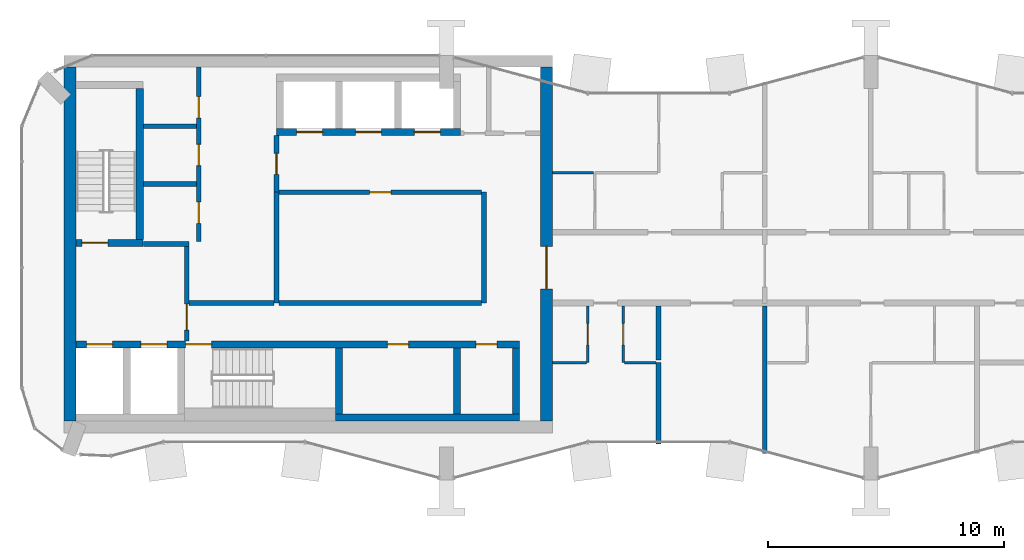
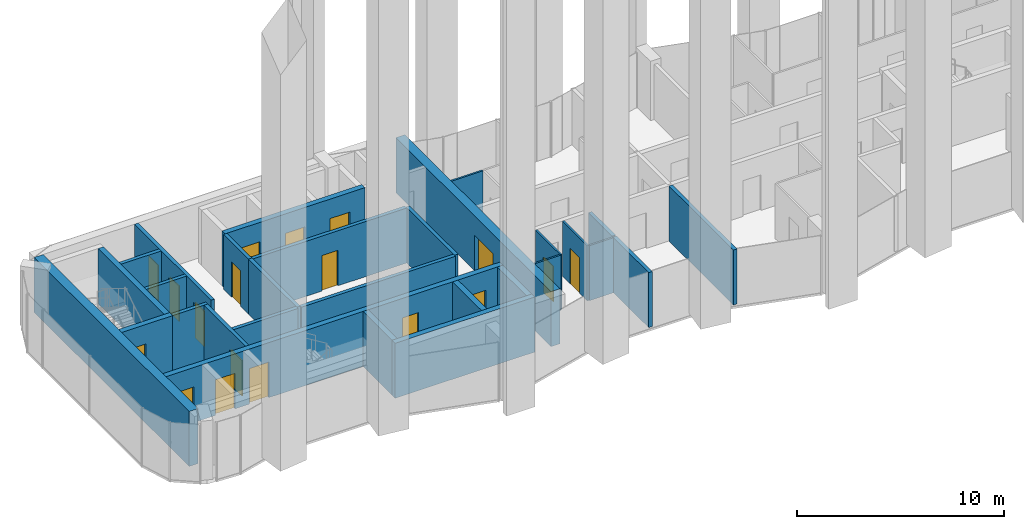
# One storey, part 7 of 11: 29 walls, 18 doors, 18 openings.
"""IFC4 building model written with IfcOpenShell, lengths in metres."""

from ifc_helpers import new_model, si_unit, direction, frame, frame_2d, origin, place, context, subcontext, project, spatial, rectangle, extrude, material, layer, layer_set, type_object, element, fill, save


model = new_model("IFC4")

# Units and contexts
model_context = context("Model", 3, precision=1e-05, world=origin(), true_north=direction((0.0, 1.0)))
body_context = subcontext(model_context, "Body", "Model", "MODEL_VIEW")
ifc_project = project(units=[si_unit("LENGTHUNIT", "METRE"), si_unit("AREAUNIT", "SQUARE_METRE"), si_unit("VOLUMEUNIT", "CUBIC_METRE"), si_unit("PLANEANGLEUNIT", "RADIAN"), si_unit("MASSUNIT", "GRAM", prefix="KILO")], contexts=[model_context])

# Site, building, storey
site_placement = place(None, origin())
site = spatial("IfcSite", under=ifc_project, at=site_placement, CompositionType="ELEMENT")
building_placement = place(site_placement, origin())
building = spatial("IfcBuilding", under=site, at=building_placement, Name="Plateau Cross Towers", CompositionType="ELEMENT")
storey_placement = place(building_placement, frame((0.0, 0.0, 242.39990234375)))
storey = spatial("IfcBuildingStorey", under=building, at=storey_placement, Name="L63", CompositionType="ELEMENT", Elevation=242.39990234375)

# Wall, opening, door
ifc_material_1 = material(Name="Concrete block, plastered both sides", Category="concrete")
ifc_layer_1 = layer(ifc_material_1, 0.199951171875)
ifc_layer_set_1 = layer_set([ifc_layer_1], Name="Concrete block, plastered both sides")
wall_type_1 = type_object("IfcWallType", Name="Core partition 200", PredefinedType="PARTITIONING", material=ifc_layer_set_1)
wall_1_placement = place(storey_placement, frame((7.0, 5.89990234375, 0.0), z_axis=(0.0, 0.0, 1.0), x_axis=(0.0, 1.0, 0.0)))
wall_1 = element("IfcWall", 1, at=wall_1_placement, inside=storey, type_object=wall_type_1, Name="Core partition", PredefinedType="PARTITIONING", context=body_context, shape_type="SweptSolid", body=[
    extrude(rectangle(XDim=4.0, YDim=0.199951171875, at=frame_2d((2.0, 0.0))), origin(), (0.0, 0.0, 1.0), 3.25),
])
opening_1_placement = place(wall_1_placement, frame((0.449951171875, 0.0, 0.0)))
opening_1 = element("IfcOpeningElement", 2, at=opening_1_placement, cuts=wall_1, Name="Opening FFD", PredefinedType="OPENING", context=body_context, shape_type="SweptSolid", body=[
    extrude(rectangle(XDim=1.10009765625, YDim=2.10009765625, at=frame_2d((0.550048828125, 1.050048828125))), frame((0.0, 0.10986328125, 0.0), z_axis=(0.0, -1.0, 0.0), x_axis=(1.0, 0.0, 0.0)), (0.0, 0.0, 1.0), 0.219970703125),
])
ifc_material_2 = material(Name="Steel, fire-resisting leaf", Category="steel")
door_type_1 = type_object("IfcDoorType", Name="Firefighting lobby door 1100", OperationType="NOTDEFINED", PredefinedType="DOOR", material=ifc_material_2)
door_1_placement = place(opening_1_placement, origin())
door_1 = element("IfcDoor", 3, at=door_1_placement, inside=storey, type_object=door_type_1, Name="Firefighting lobby door FFD", OperationType="SINGLE_SWING_LEFT", OverallHeight=2.10009765625, OverallWidth=1.10009765625, PredefinedType="DOOR", context=body_context, shape_type="SweptSolid", body=[
    extrude(rectangle(XDim=1.10009765625, YDim=2.10009765625, at=frame_2d((0.550048828125, 1.050048828125))), frame((0.0, 0.02490234375, 0.0), z_axis=(0.0, -1.0, 0.0), x_axis=(1.0, 0.0, 0.0)), (0.0, 0.0, 1.0), 0.050048828125),
])
fill(opening_1, door_1)

# Walls
wall_2_placement = place(storey_placement, frame((5.14990234375, 10.0, 0.0), z_axis=(0.0, 0.0, 1.0), x_axis=(1.0, 0.0, 0.0)))
element("IfcWall", 4, at=wall_2_placement, inside=storey, type_object=wall_type_1, Name="Core partition", PredefinedType="PARTITIONING", context=body_context, shape_type="SweptSolid", body=[
    extrude(rectangle(XDim=1.9501953125, YDim=0.199951171875, at=frame_2d((0.97509765625, 0.0))), origin(), (0.0, 0.0, 1.0), 3.25),
])
wall_3_placement = place(storey_placement, frame((7.10009765625, 7.5, 0.0), z_axis=(0.0, 0.0, 1.0), x_axis=(1.0, 0.0, 0.0)))
element("IfcWall", 5, at=wall_3_placement, inside=storey, type_object=wall_type_1, Name="Core partition", PredefinedType="PARTITIONING", context=body_context, shape_type="SweptSolid", body=[
    extrude(rectangle(XDim=3.599853515625, YDim=0.199951171875, at=frame_2d((1.7998046875, 0.0))), origin(), (0.0, 0.0, 1.0), 3.25),
])

# Wall, opening, door
wall_4_placement = place(storey_placement, frame((10.800048828125, 12.199951171875, 0.0), z_axis=(0.0, 0.0, 1.0), x_axis=(0.0, 1.0, 0.0)))
wall_4 = element("IfcWall", 6, at=wall_4_placement, inside=storey, type_object=wall_type_1, Name="Core partition", PredefinedType="PARTITIONING", context=body_context, shape_type="SweptSolid", body=[
    extrude(rectangle(XDim=2.400146484375, YDim=0.199951171875, at=frame_2d((1.2001953125, 0.0))), origin(), (0.0, 0.0, 1.0), 3.25),
])
opening_2_placement = place(wall_4_placement, frame((0.75, 0.0, 0.0)))
opening_2 = element("IfcOpeningElement", 7, at=opening_2_placement, cuts=wall_4, Name="Opening RD1", PredefinedType="OPENING", context=body_context, shape_type="SweptSolid", body=[
    extrude(rectangle(XDim=0.89990234375, YDim=2.10009765625, at=frame_2d((0.449951171875, 1.050048828125))), frame((0.0, 0.10986328125, 0.0), z_axis=(0.0, -1.0, 0.0), x_axis=(1.0, 0.0, 0.0)), (0.0, 0.0, 1.0), 0.219970703125),
])
ifc_material_3 = material(Name="Timber, fire-resisting leaf", Category="wood")
door_type_2 = type_object("IfcDoorType", Name="Core service door 900", OperationType="NOTDEFINED", PredefinedType="DOOR", material=ifc_material_3)
door_2_placement = place(opening_2_placement, origin())
door_2 = element("IfcDoor", 8, at=door_2_placement, inside=storey, type_object=door_type_2, Name="Core service door RD1", OperationType="SINGLE_SWING_LEFT", OverallHeight=2.10009765625, OverallWidth=0.89990234375, PredefinedType="DOOR", context=body_context, shape_type="SweptSolid", body=[
    extrude(rectangle(XDim=0.89990234375, YDim=2.10009765625, at=frame_2d((0.449951171875, 1.050048828125))), frame((0.0, 0.02490234375, 0.0), z_axis=(0.0, -1.0, 0.0), x_axis=(1.0, 0.0, 0.0)), (0.0, 0.0, 1.0), 0.050048828125),
])
fill(opening_2, door_2)

# Walls
wall_5_placement = place(storey_placement, frame((10.800048828125, 7.5, 0.0), z_axis=(0.0, 0.0, 1.0), x_axis=(0.0, 1.0, 0.0)))
element("IfcWall", 9, at=wall_5_placement, inside=storey, type_object=wall_type_1, Name="Core partition", PredefinedType="PARTITIONING", context=body_context, shape_type="SweptSolid", body=[
    extrude(rectangle(XDim=4.699951171875, YDim=0.199951171875, at=frame_2d((2.35009765625, 0.0))), origin(), (0.0, 0.0, 1.0), 3.25),
])
wall_6_placement = place(storey_placement, frame((10.89990234375, 7.5, 0.0), z_axis=(0.0, 0.0, 1.0), x_axis=(1.0, 0.0, 0.0)))
element("IfcWall", 10, at=wall_6_placement, inside=storey, type_object=wall_type_1, Name="Core partition", PredefinedType="PARTITIONING", context=body_context, shape_type="SweptSolid", body=[
    extrude(rectangle(XDim=8.60009765625, YDim=0.199951171875, at=frame_2d((4.300048828125, 0.0))), origin(), (0.0, 0.0, 1.0), 3.25),
])
wall_7_placement = place(storey_placement, frame((19.60009765625, 7.5, 0.0), z_axis=(0.0, 0.0, 1.0), x_axis=(0.0, 1.0, 0.0)))
element("IfcWall", 11, at=wall_7_placement, inside=storey, type_object=wall_type_1, Name="Core partition", PredefinedType="PARTITIONING", context=body_context, shape_type="SweptSolid", body=[
    extrude(rectangle(XDim=4.699951171875, YDim=0.199951171875, at=frame_2d((2.35009765625, 0.0))), origin(), (0.0, 0.0, 1.0), 3.25),
])

# Wall, opening, door
wall_8_placement = place(storey_placement, frame((10.89990234375, 12.199951171875, 0.0), z_axis=(0.0, 0.0, 1.0), x_axis=(1.0, 0.0, 0.0)))
wall_8 = element("IfcWall", 12, at=wall_8_placement, inside=storey, type_object=wall_type_1, Name="Core partition", PredefinedType="PARTITIONING", context=body_context, shape_type="SweptSolid", body=[
    extrude(rectangle(XDim=8.60009765625, YDim=0.199951171875, at=frame_2d((4.300048828125, 0.0))), origin(), (0.0, 0.0, 1.0), 3.25),
])
opening_3_placement = place(wall_8_placement, frame((3.85009765625, 0.0, 0.0)))
opening_3 = element("IfcOpeningElement", 13, at=opening_3_placement, cuts=wall_8, Name="Opening RD1", PredefinedType="OPENING", context=body_context, shape_type="SweptSolid", body=[
    extrude(rectangle(XDim=0.89990234375, YDim=2.10009765625, at=frame_2d((0.449951171875, 1.050048828125))), frame((0.0, 0.10986328125, 0.0), z_axis=(0.0, -1.0, 0.0), x_axis=(1.0, 0.0, 0.0)), (0.0, 0.0, 1.0), 0.219970703125),
])
door_3_placement = place(opening_3_placement, origin())
door_3 = element("IfcDoor", 14, at=door_3_placement, inside=storey, type_object=door_type_2, Name="Core service door RD1", OperationType="SINGLE_SWING_LEFT", OverallHeight=2.10009765625, OverallWidth=0.89990234375, PredefinedType="DOOR", context=body_context, shape_type="SweptSolid", body=[
    extrude(rectangle(XDim=0.89990234375, YDim=2.10009765625, at=frame_2d((0.449951171875, 1.050048828125))), frame((0.0, 0.02490234375, 0.0), z_axis=(0.0, -1.0, 0.0), x_axis=(1.0, 0.0, 0.0)), (0.0, 0.0, 1.0), 0.050048828125),
])
fill(opening_3, door_3)

# Wall, openings, doors
wall_9_placement = place(storey_placement, frame((7.5, 10.10009765625, 0.0), z_axis=(0.0, 0.0, 1.0), x_axis=(0.0, 1.0, 0.0)))
wall_9 = element("IfcWall", 15, at=wall_9_placement, inside=storey, type_object=wall_type_1, Name="Core partition", PredefinedType="PARTITIONING", context=body_context, shape_type="SweptSolid", body=[
    extrude(rectangle(XDim=7.39990234375, YDim=0.199951171875, at=frame_2d((3.699951171875, 0.0))), origin(), (0.0, 0.0, 1.0), 3.25),
])
opening_4_placement = place(wall_9_placement, frame((0.77490234375, 0.0, 0.0)))
opening_4 = element("IfcOpeningElement", 16, at=opening_4_placement, cuts=wall_9, Name="Opening RD1", PredefinedType="OPENING", context=body_context, shape_type="SweptSolid", body=[
    extrude(rectangle(XDim=0.89990234375, YDim=2.10009765625, at=frame_2d((0.449951171875, 1.050048828125))), frame((0.0, 0.10986328125, 0.0), z_axis=(0.0, -1.0, 0.0), x_axis=(1.0, 0.0, 0.0)), (0.0, 0.0, 1.0), 0.219970703125),
])
opening_5_placement = place(wall_9_placement, frame((3.22509765625, 0.0, 0.0)))
opening_5 = element("IfcOpeningElement", 17, at=opening_5_placement, cuts=wall_9, Name="Opening RD1", PredefinedType="OPENING", context=body_context, shape_type="SweptSolid", body=[
    extrude(rectangle(XDim=0.89990234375, YDim=2.10009765625, at=frame_2d((0.449951171875, 1.050048828125))), frame((0.0, 0.10986328125, 0.0), z_axis=(0.0, -1.0, 0.0), x_axis=(1.0, 0.0, 0.0)), (0.0, 0.0, 1.0), 0.219970703125),
])
opening_6_placement = place(wall_9_placement, frame((5.25, 0.0, 0.0)))
opening_6 = element("IfcOpeningElement", 18, at=opening_6_placement, cuts=wall_9, Name="Opening RD1", PredefinedType="OPENING", context=body_context, shape_type="SweptSolid", body=[
    extrude(rectangle(XDim=0.89990234375, YDim=2.10009765625, at=frame_2d((0.449951171875, 1.050048828125))), frame((0.0, 0.10986328125, 0.0), z_axis=(0.0, -1.0, 0.0), x_axis=(1.0, 0.0, 0.0)), (0.0, 0.0, 1.0), 0.219970703125),
])
door_4_placement = place(opening_4_placement, origin())
door_4 = element("IfcDoor", 19, at=door_4_placement, inside=storey, type_object=door_type_2, Name="Core service door RD1", OperationType="SINGLE_SWING_RIGHT", OverallHeight=2.10009765625, OverallWidth=0.89990234375, PredefinedType="DOOR", context=body_context, shape_type="SweptSolid", body=[
    extrude(rectangle(XDim=0.89990234375, YDim=2.10009765625, at=frame_2d((0.449951171875, 1.050048828125))), frame((0.0, 0.02490234375, 0.0), z_axis=(0.0, -1.0, 0.0), x_axis=(1.0, 0.0, 0.0)), (0.0, 0.0, 1.0), 0.050048828125),
])
fill(opening_4, door_4)
door_5_placement = place(opening_5_placement, origin())
door_5 = element("IfcDoor", 20, at=door_5_placement, inside=storey, type_object=door_type_2, Name="Core service door RD1", OperationType="SINGLE_SWING_RIGHT", OverallHeight=2.10009765625, OverallWidth=0.89990234375, PredefinedType="DOOR", context=body_context, shape_type="SweptSolid", body=[
    extrude(rectangle(XDim=0.89990234375, YDim=2.10009765625, at=frame_2d((0.449951171875, 1.050048828125))), frame((0.0, 0.02490234375, 0.0), z_axis=(0.0, -1.0, 0.0), x_axis=(1.0, 0.0, 0.0)), (0.0, 0.0, 1.0), 0.050048828125),
])
fill(opening_5, door_5)
door_6_placement = place(opening_6_placement, origin())
door_6 = element("IfcDoor", 21, at=door_6_placement, inside=storey, type_object=door_type_2, Name="Core service door RD1", OperationType="SINGLE_SWING_RIGHT", OverallHeight=2.10009765625, OverallWidth=0.89990234375, PredefinedType="DOOR", context=body_context, shape_type="SweptSolid", body=[
    extrude(rectangle(XDim=0.89990234375, YDim=2.10009765625, at=frame_2d((0.449951171875, 1.050048828125))), frame((0.0, 0.02490234375, 0.0), z_axis=(0.0, -1.0, 0.0), x_axis=(1.0, 0.0, 0.0)), (0.0, 0.0, 1.0), 0.050048828125),
])
fill(opening_6, door_6)

# Walls
for number, where, z_axis, x_axis, name in (
    (22, (5.14990234375, 12.550048828125, 0.0), (0.0, 0.0, 1.0), (1.0, 0.0, 0.0), "Core partition"),
    (23, (5.14990234375, 15.0, 0.0), (0.0, 0.0, 1.0), (1.0, 0.0, 0.0), "Core partition"),
):
    element("IfcWall", number, at=place(storey_placement, frame(where, z_axis=z_axis, x_axis=x_axis)), inside=storey, type_object=wall_type_1, Name=name, PredefinedType="PARTITIONING", context=body_context, shape_type="SweptSolid", body=[
        extrude(rectangle(XDim=2.25, YDim=0.199951171875, at=frame_2d((1.125, 0.0))), origin(), (0.0, 0.0, 1.0), 3.25),
    ])
ifc_material_4 = material(Name="Concrete C60/75", Category="concrete")
ifc_layer_2 = layer(ifc_material_4, 0.300048828125)
ifc_layer_set_2 = layer_set([ifc_layer_2], Name="Concrete C60/75")
wall_type_2 = type_object("IfcWallType", Name="Core shaft wall 300", PredefinedType="SHEAR", material=ifc_layer_set_2)
wall_10_placement = place(storey_placement, frame((13.300048828125, 2.64990234375, 0.0), z_axis=(0.0, 0.0, 1.0), x_axis=(1.0, 0.0, 0.0)))
element("IfcWall", 24, at=wall_10_placement, inside=storey, type_object=wall_type_2, Name="A-sb-back3@L63", PredefinedType="SHEAR", context=body_context, shape_type="SweptSolid", body=[
    extrude(rectangle(XDim=7.800048828125, YDim=0.300048828125, at=frame_2d((3.89990234375, 0.0))), origin(), (0.0, 0.0, 1.0), 3.25),
])
for number, where, z_axis, x_axis, name in (
    (25, (13.449951171875, 2.800048828125, 0.0), (0.0, 0.0, 1.0), (0.0, 1.0, 0.0), "A-sb-v3@L63"),
    (26, (18.449951171875, 2.800048828125, 0.0), (0.0, 0.0, 1.0), (0.0, 1.0, 0.0), "A-sb-v5@L63"),
    (27, (20.949951171875, 2.800048828125, 0.0), (0.0, 0.0, 1.0), (0.0, 1.0, 0.0), "A-sb-v6@L63"),
):
    element("IfcWall", number, at=place(storey_placement, frame(where, z_axis=z_axis, x_axis=x_axis)), inside=storey, type_object=wall_type_2, Name=name, PredefinedType="SHEAR", context=body_context, shape_type="SweptSolid", body=[
        extrude(rectangle(XDim=2.800048828125, YDim=0.300048828125, at=frame_2d((1.39990234375, 0.0))), origin(), (0.0, 0.0, 1.0), 3.25),
    ])

# Wall, openings, doors
wall_11_placement = place(storey_placement, frame((2.300048828125, 5.75, 0.0), z_axis=(0.0, 0.0, 1.0), x_axis=(1.0, 0.0, 0.0)))
wall_11 = element("IfcWall", 28, at=wall_11_placement, inside=storey, type_object=wall_type_2, Name="A-sb-front@L63", PredefinedType="SHEAR", context=body_context, shape_type="SweptSolid", body=[
    extrude(rectangle(XDim=18.800048828125, YDim=0.300048828125, at=frame_2d((9.39990234375, 0.0))), origin(), (0.0, 0.0, 1.0), 3.25),
])
opening_7_placement = place(wall_11_placement, frame((4.64990234375, 0.0, 0.0)))
opening_7 = element("IfcOpeningElement", 29, at=opening_7_placement, cuts=wall_11, Name="Opening SD", PredefinedType="OPENING", context=body_context, shape_type="SweptSolid", body=[
    extrude(rectangle(XDim=1.10009765625, YDim=2.10009765625, at=frame_2d((0.550048828125, 1.050048828125))), frame((0.0, 0.159912109375, 0.0), z_axis=(0.0, -1.0, 0.0), x_axis=(1.0, 0.0, 0.0)), (0.0, 0.0, 1.0), 0.320068359375),
])
opening_8_placement = place(wall_11_placement, frame((0.449951171875, 0.0, 0.0)))
opening_8 = element("IfcOpeningElement", 30, at=opening_8_placement, cuts=wall_11, Name="Opening LD", PredefinedType="OPENING", context=body_context, shape_type="SweptSolid", body=[
    extrude(rectangle(XDim=1.10009765625, YDim=2.10009765625, at=frame_2d((0.550048828125, 1.050048828125))), frame((0.0, 0.159912109375, 0.0), z_axis=(0.0, -1.0, 0.0), x_axis=(1.0, 0.0, 0.0)), (0.0, 0.0, 1.0), 0.320068359375),
])
opening_9_placement = place(wall_11_placement, frame((2.75, 0.0, 0.0)))
opening_9 = element("IfcOpeningElement", 31, at=opening_9_placement, cuts=wall_11, Name="Opening LD", PredefinedType="OPENING", context=body_context, shape_type="SweptSolid", body=[
    extrude(rectangle(XDim=1.10009765625, YDim=2.10009765625, at=frame_2d((0.550048828125, 1.050048828125))), frame((0.0, 0.159912109375, 0.0), z_axis=(0.0, -1.0, 0.0), x_axis=(1.0, 0.0, 0.0)), (0.0, 0.0, 1.0), 0.320068359375),
])
opening_10_placement = place(wall_11_placement, frame((13.199951171875, 0.0, 0.0)))
opening_10 = element("IfcOpeningElement", 32, at=opening_10_placement, cuts=wall_11, Name="Opening RD2", PredefinedType="OPENING", context=body_context, shape_type="SweptSolid", body=[
    extrude(rectangle(XDim=0.89990234375, YDim=2.10009765625, at=frame_2d((0.449951171875, 1.050048828125))), frame((0.0, 0.159912109375, 0.0), z_axis=(0.0, -1.0, 0.0), x_axis=(1.0, 0.0, 0.0)), (0.0, 0.0, 1.0), 0.320068359375),
])
opening_11_placement = place(wall_11_placement, frame((16.949951171875, 0.0, 0.0)))
opening_11 = element("IfcOpeningElement", 33, at=opening_11_placement, cuts=wall_11, Name="Opening RD2", PredefinedType="OPENING", context=body_context, shape_type="SweptSolid", body=[
    extrude(rectangle(XDim=0.89990234375, YDim=2.10009765625, at=frame_2d((0.449951171875, 1.050048828125))), frame((0.0, 0.159912109375, 0.0), z_axis=(0.0, -1.0, 0.0), x_axis=(1.0, 0.0, 0.0)), (0.0, 0.0, 1.0), 0.320068359375),
])
door_type_3 = type_object("IfcDoorType", Name="Core riser door 900", OperationType="NOTDEFINED", PredefinedType="DOOR", material=ifc_material_2)
door_7_placement = place(opening_10_placement, origin())
door_7 = element("IfcDoor", 34, at=door_7_placement, inside=storey, type_object=door_type_3, Name="Core riser door RD2", OperationType="SINGLE_SWING_LEFT", OverallHeight=2.10009765625, OverallWidth=0.89990234375, PredefinedType="DOOR", context=body_context, shape_type="SweptSolid", body=[
    extrude(rectangle(XDim=0.89990234375, YDim=2.10009765625, at=frame_2d((0.449951171875, 1.050048828125))), frame((0.0, 0.02490234375, 0.0), z_axis=(0.0, -1.0, 0.0), x_axis=(1.0, 0.0, 0.0)), (0.0, 0.0, 1.0), 0.050048828125),
])
fill(opening_10, door_7)
door_8_placement = place(opening_11_placement, origin())
door_8 = element("IfcDoor", 35, at=door_8_placement, inside=storey, type_object=door_type_3, Name="Core riser door RD2", OperationType="SINGLE_SWING_LEFT", OverallHeight=2.10009765625, OverallWidth=0.89990234375, PredefinedType="DOOR", context=body_context, shape_type="SweptSolid", body=[
    extrude(rectangle(XDim=0.89990234375, YDim=2.10009765625, at=frame_2d((0.449951171875, 1.050048828125))), frame((0.0, 0.02490234375, 0.0), z_axis=(0.0, -1.0, 0.0), x_axis=(1.0, 0.0, 0.0)), (0.0, 0.0, 1.0), 0.050048828125),
])
fill(opening_11, door_8)
ifc_material_5 = material(Name="Stainless steel, fire-resisting sliding leaves", Category="steel")
door_type_4 = type_object("IfcDoorType", Name="Lift landing door 1100", OperationType="NOTDEFINED", PredefinedType="DOOR", material=ifc_material_5)
door_9_placement = place(opening_8_placement, origin())
door_9 = element("IfcDoor", 36, at=door_9_placement, inside=storey, type_object=door_type_4, Name="Lift landing door LD", OperationType="DOUBLE_DOOR_SLIDING", OverallHeight=2.10009765625, OverallWidth=1.10009765625, PredefinedType="DOOR", context=body_context, shape_type="SweptSolid", body=[
    extrude(rectangle(XDim=1.10009765625, YDim=2.10009765625, at=frame_2d((0.550048828125, 1.050048828125))), frame((0.0, 0.02490234375, 0.0), z_axis=(0.0, -1.0, 0.0), x_axis=(1.0, 0.0, 0.0)), (0.0, 0.0, 1.0), 0.050048828125),
])
fill(opening_8, door_9)
door_10_placement = place(opening_9_placement, origin())
door_10 = element("IfcDoor", 37, at=door_10_placement, inside=storey, type_object=door_type_4, Name="Lift landing door LD", OperationType="DOUBLE_DOOR_SLIDING", OverallHeight=2.10009765625, OverallWidth=1.10009765625, PredefinedType="DOOR", context=body_context, shape_type="SweptSolid", body=[
    extrude(rectangle(XDim=1.10009765625, YDim=2.10009765625, at=frame_2d((0.550048828125, 1.050048828125))), frame((0.0, 0.02490234375, 0.0), z_axis=(0.0, -1.0, 0.0), x_axis=(1.0, 0.0, 0.0)), (0.0, 0.0, 1.0), 0.050048828125),
])
fill(opening_9, door_10)
door_type_5 = type_object("IfcDoorType", Name="Stair door 1100", OperationType="NOTDEFINED", PredefinedType="DOOR", material=ifc_material_2)
door_11_placement = place(opening_7_placement, origin())
door_11 = element("IfcDoor", 38, at=door_11_placement, inside=storey, type_object=door_type_5, Name="Stair door SD", OperationType="SINGLE_SWING_LEFT", OverallHeight=2.10009765625, OverallWidth=1.10009765625, PredefinedType="DOOR", context=body_context, shape_type="SweptSolid", body=[
    extrude(rectangle(XDim=1.10009765625, YDim=2.10009765625, at=frame_2d((0.550048828125, 1.050048828125))), frame((0.0, 0.02490234375, 0.0), z_axis=(0.0, -1.0, 0.0), x_axis=(1.0, 0.0, 0.0)), (0.0, 0.0, 1.0), 0.050048828125),
])
fill(opening_7, door_11)

# Wall, opening, door
wall_12_placement = place(storey_placement, frame((2.300048828125, 10.050048828125, 0.0), z_axis=(0.0, 0.0, 1.0), x_axis=(1.0, 0.0, 0.0)))
wall_12 = element("IfcWall", 39, at=wall_12_placement, inside=storey, type_object=wall_type_2, Name="A-st1-S@L63", PredefinedType="SHEAR", context=body_context, shape_type="SweptSolid", body=[
    extrude(rectangle(XDim=2.849853515625, YDim=0.300048828125, at=frame_2d((1.4248046875, 0.0))), origin(), (0.0, 0.0, 1.0), 3.25),
])
opening_12_placement = place(wall_12_placement, frame((0.25, 0.0, 0.0)))
opening_12 = element("IfcOpeningElement", 40, at=opening_12_placement, cuts=wall_12, Name="Opening SD", PredefinedType="OPENING", context=body_context, shape_type="SweptSolid", body=[
    extrude(rectangle(XDim=1.10009765625, YDim=2.10009765625, at=frame_2d((0.550048828125, 1.050048828125))), frame((0.0, 0.159912109375, 0.0), z_axis=(0.0, -1.0, 0.0), x_axis=(1.0, 0.0, 0.0)), (0.0, 0.0, 1.0), 0.320068359375),
])
door_12_placement = place(opening_12_placement, origin())
door_12 = element("IfcDoor", 41, at=door_12_placement, inside=storey, type_object=door_type_5, Name="Stair door SD", OperationType="SINGLE_SWING_RIGHT", OverallHeight=2.10009765625, OverallWidth=1.10009765625, PredefinedType="DOOR", context=body_context, shape_type="SweptSolid", body=[
    extrude(rectangle(XDim=1.10009765625, YDim=2.10009765625, at=frame_2d((0.550048828125, 1.050048828125))), frame((0.0, 0.02490234375, 0.0), z_axis=(0.0, -1.0, 0.0), x_axis=(1.0, 0.0, 0.0)), (0.0, 0.0, 1.0), 0.050048828125),
])
fill(opening_12, door_12)

# Wall
wall_13_placement = place(storey_placement, frame((5.0, 10.199951171875, 0.0), z_axis=(0.0, 0.0, 1.0), x_axis=(0.0, 1.0, 0.0)))
element("IfcWall", 42, at=wall_13_placement, inside=storey, type_object=wall_type_2, Name="A-st1-E@L63", PredefinedType="SHEAR", context=body_context, shape_type="SweptSolid", body=[
    extrude(rectangle(XDim=6.400146484375, YDim=0.300048828125, at=frame_2d((3.2001953125, 0.0))), origin(), (0.0, 0.0, 1.0), 3.25),
])

# Wall, openings, doors
wall_14_placement = place(storey_placement, frame((10.800048828125, 14.75, 0.0), z_axis=(0.0, 0.0, 1.0), x_axis=(1.0, 0.0, 0.0)))
wall_14 = element("IfcWall", 43, at=wall_14_placement, inside=storey, type_object=wall_type_2, Name="A-nb-front@L63", PredefinedType="SHEAR", context=body_context, shape_type="SweptSolid", body=[
    extrude(rectangle(XDim=7.800048828125, YDim=0.300048828125, at=frame_2d((3.89990234375, 0.0))), origin(), (0.0, 0.0, 1.0), 3.25),
])
opening_13_placement = place(wall_14_placement, frame((0.85009765625, 0.0, 0.0)))
opening_13 = element("IfcOpeningElement", 44, at=opening_13_placement, cuts=wall_14, Name="Opening LD", PredefinedType="OPENING", context=body_context, shape_type="SweptSolid", body=[
    extrude(rectangle(XDim=1.10009765625, YDim=2.10009765625, at=frame_2d((0.550048828125, 1.050048828125))), frame((0.0, 0.159912109375, 0.0), z_axis=(0.0, -1.0, 0.0), x_axis=(1.0, 0.0, 0.0)), (0.0, 0.0, 1.0), 0.320068359375),
])
opening_14_placement = place(wall_14_placement, frame((3.35009765625, 0.0, 0.0)))
opening_14 = element("IfcOpeningElement", 45, at=opening_14_placement, cuts=wall_14, Name="Opening LD", PredefinedType="OPENING", context=body_context, shape_type="SweptSolid", body=[
    extrude(rectangle(XDim=1.10009765625, YDim=2.10009765625, at=frame_2d((0.550048828125, 1.050048828125))), frame((0.0, 0.159912109375, 0.0), z_axis=(0.0, -1.0, 0.0), x_axis=(1.0, 0.0, 0.0)), (0.0, 0.0, 1.0), 0.320068359375),
])
opening_15_placement = place(wall_14_placement, frame((5.85009765625, 0.0, 0.0)))
opening_15 = element("IfcOpeningElement", 46, at=opening_15_placement, cuts=wall_14, Name="Opening LD", PredefinedType="OPENING", context=body_context, shape_type="SweptSolid", body=[
    extrude(rectangle(XDim=1.10009765625, YDim=2.10009765625, at=frame_2d((0.550048828125, 1.050048828125))), frame((0.0, 0.159912109375, 0.0), z_axis=(0.0, -1.0, 0.0), x_axis=(1.0, 0.0, 0.0)), (0.0, 0.0, 1.0), 0.320068359375),
])
door_13_placement = place(opening_13_placement, origin())
door_13 = element("IfcDoor", 47, at=door_13_placement, inside=storey, type_object=door_type_4, Name="Lift landing door LD", OperationType="DOUBLE_DOOR_SLIDING", OverallHeight=2.10009765625, OverallWidth=1.10009765625, PredefinedType="DOOR", context=body_context, shape_type="SweptSolid", body=[
    extrude(rectangle(XDim=1.10009765625, YDim=2.10009765625, at=frame_2d((0.550048828125, 1.050048828125))), frame((0.0, 0.02490234375, 0.0), z_axis=(0.0, -1.0, 0.0), x_axis=(1.0, 0.0, 0.0)), (0.0, 0.0, 1.0), 0.050048828125),
])
fill(opening_13, door_13)
door_14_placement = place(opening_14_placement, origin())
door_14 = element("IfcDoor", 48, at=door_14_placement, inside=storey, type_object=door_type_4, Name="Lift landing door LD", OperationType="DOUBLE_DOOR_SLIDING", OverallHeight=2.10009765625, OverallWidth=1.10009765625, PredefinedType="DOOR", context=body_context, shape_type="SweptSolid", body=[
    extrude(rectangle(XDim=1.10009765625, YDim=2.10009765625, at=frame_2d((0.550048828125, 1.050048828125))), frame((0.0, 0.02490234375, 0.0), z_axis=(0.0, -1.0, 0.0), x_axis=(1.0, 0.0, 0.0)), (0.0, 0.0, 1.0), 0.050048828125),
])
fill(opening_14, door_14)
door_15_placement = place(opening_15_placement, origin())
door_15 = element("IfcDoor", 49, at=door_15_placement, inside=storey, type_object=door_type_4, Name="Lift landing door LD", OperationType="DOUBLE_DOOR_SLIDING", OverallHeight=2.10009765625, OverallWidth=1.10009765625, PredefinedType="DOOR", context=body_context, shape_type="SweptSolid", body=[
    extrude(rectangle(XDim=1.10009765625, YDim=2.10009765625, at=frame_2d((0.550048828125, 1.050048828125))), frame((0.0, 0.02490234375, 0.0), z_axis=(0.0, -1.0, 0.0), x_axis=(1.0, 0.0, 0.0)), (0.0, 0.0, 1.0), 0.050048828125),
])
fill(opening_15, door_15)

# Wall
ifc_layer_3 = layer(ifc_material_4, 0.5)
ifc_layer_set_3 = layer_set([ifc_layer_3], Name="Concrete C60/75")
wall_type_3 = type_object("IfcWallType", Name="Core shell wall 500", PredefinedType="SHEAR", material=ifc_layer_set_3)
wall_15_placement = place(storey_placement, frame((2.050048828125, 2.5, 0.0), z_axis=(0.0, 0.0, 1.0), x_axis=(0.0, 1.0, 0.0)))
element("IfcWall", 50, at=wall_15_placement, inside=storey, type_object=wall_type_3, Name="A-core-W@L63", PredefinedType="SHEAR", context=body_context, shape_type="SweptSolid", body=[
    extrude(rectangle(XDim=15.0, YDim=0.5, at=frame_2d((7.5, 0.0))), origin(), (0.0, 0.0, 1.0), 3.25),
])

# Wall, opening, door
wall_16_placement = place(storey_placement, frame((22.25, 2.5, 0.0), z_axis=(0.0, 0.0, 1.0), x_axis=(0.0, 1.0, 0.0)))
wall_16 = element("IfcWall", 51, at=wall_16_placement, inside=storey, type_object=wall_type_3, Name="A-core-E@L63", PredefinedType="SHEAR", context=body_context, shape_type="SweptSolid", body=[
    extrude(rectangle(XDim=15.0, YDim=0.5, at=frame_2d((7.5, 0.0))), origin(), (0.0, 0.0, 1.0), 3.25),
])
opening_16_placement = place(wall_16_placement, frame((5.60009765625, 0.0, 0.0)))
opening_16 = element("IfcOpeningElement", 52, at=opening_16_placement, cuts=wall_16, Name="Opening CD", PredefinedType="OPENING", context=body_context, shape_type="SweptSolid", body=[
    extrude(rectangle(XDim=1.800048828125, YDim=2.10009765625, at=frame_2d((0.89990234375, 1.050048828125))), frame((0.0, 0.260009765625, 0.0), z_axis=(0.0, -1.0, 0.0), x_axis=(1.0, 0.0, 0.0)), (0.0, 0.0, 1.0), 0.52001953125),
])
ifc_material_6 = material(Name="Steel, fire-resisting leaves", Category="steel")
door_type_6 = type_object("IfcDoorType", Name="Corridor door pair 1800", OperationType="NOTDEFINED", PredefinedType="DOOR", material=ifc_material_6)
door_16_placement = place(opening_16_placement, origin())
door_16 = element("IfcDoor", 53, at=door_16_placement, inside=storey, type_object=door_type_6, Name="Corridor door pair CD", OperationType="DOUBLE_DOOR_SINGLE_SWING", OverallHeight=2.10009765625, OverallWidth=1.800048828125, PredefinedType="DOOR", context=body_context, shape_type="SweptSolid", body=[
    extrude(rectangle(XDim=1.800048828125, YDim=2.10009765625, at=frame_2d((0.89990234375, 1.050048828125))), frame((0.0, 0.02490234375, 0.0), z_axis=(0.0, -1.0, 0.0), x_axis=(1.0, 0.0, 0.0)), (0.0, 0.0, 1.0), 0.050048828125),
])
fill(opening_16, door_16)

# Walls
ifc_material_7 = material(Name="Gypsum board on steel studs", Category="steel")
ifc_layer_4 = layer(ifc_material_7, 0.10009765625)
ifc_layer_set_4 = layer_set([ifc_layer_4], Name="Gypsum board on steel studs")
wall_type_4 = type_object("IfcWallType", Name="Flat partition 100", PredefinedType="PARTITIONING", material=ifc_layer_set_4)
wall_17_placement = place(storey_placement, frame((22.5, 4.97509765625, 0.0), z_axis=(0.0, 0.0, 1.0), x_axis=(1.0, 0.0, 0.0)))
element("IfcWall", 54, at=wall_17_placement, inside=storey, type_object=wall_type_4, Name="Partition wall", PredefinedType="PARTITIONING", context=body_context, shape_type="SweptSolid", body=[
    extrude(rectangle(XDim=1.449951171875, YDim=0.10009765625, at=frame_2d((0.72509765625, 0.0))), origin(), (0.0, 0.0, 1.0), 3.25),
])
wall_18_placement = place(storey_placement, frame((25.550048828125, 4.97509765625, 0.0), z_axis=(0.0, 0.0, 1.0), x_axis=(1.0, 0.0, 0.0)))
element("IfcWall", 55, at=wall_18_placement, inside=storey, type_object=wall_type_4, Name="Partition wall", PredefinedType="PARTITIONING", context=body_context, shape_type="SweptSolid", body=[
    extrude(rectangle(XDim=1.349853515625, YDim=0.10009765625, at=frame_2d((0.6748046875, 0.0))), origin(), (0.0, 0.0, 1.0), 3.25),
])
wall_19_placement = place(storey_placement, frame((24.25, 13.02490234375, 0.0), z_axis=(0.0, 0.0, 1.0), x_axis=(-1.0, 0.0, 0.0)))
element("IfcWall", 56, at=wall_19_placement, inside=storey, type_object=wall_type_4, Name="Partition wall", PredefinedType="PARTITIONING", context=body_context, shape_type="SweptSolid", body=[
    extrude(rectangle(XDim=1.75, YDim=0.10009765625, at=frame_2d((0.875, 0.0))), origin(), (0.0, 0.0, 1.0), 3.25),
])

# Wall, opening, door
wall_20_placement = place(storey_placement, frame((24.0, 4.97509765625, 0.0), z_axis=(0.0, 0.0, 1.0), x_axis=(0.0, 1.0, 0.0)))
wall_20 = element("IfcWall", 57, at=wall_20_placement, inside=storey, type_object=wall_type_4, Name="Partition wall", PredefinedType="PARTITIONING", context=body_context, shape_type="SweptSolid", body=[
    extrude(rectangle(XDim=2.39990234375, YDim=0.10009765625, at=frame_2d((1.199951171875, 0.0))), origin(), (0.0, 0.0, 1.0), 3.25),
])
opening_17_placement = place(wall_20_placement, frame((0.75, 0.0, 0.0)))
opening_17 = element("IfcOpeningElement", 58, at=opening_17_placement, cuts=wall_20, Name="Opening 63-11", PredefinedType="OPENING", context=body_context, shape_type="SweptSolid", body=[
    extrude(rectangle(XDim=0.89990234375, YDim=2.10009765625, at=frame_2d((0.449951171875, 1.050048828125))), frame((0.0, 0.06005859375, 0.0), z_axis=(0.0, -1.0, 0.0), x_axis=(1.0, 0.0, 0.0)), (0.0, 0.0, 1.0), 0.1201171875),
])
ifc_material_8 = material(Name="Timber leaf", Category="wood")
door_type_7 = type_object("IfcDoorType", Name="Flat room door 900", OperationType="NOTDEFINED", PredefinedType="DOOR", material=ifc_material_8)
door_17_placement = place(opening_17_placement, origin())
door_17 = element("IfcDoor", 59, at=door_17_placement, inside=storey, type_object=door_type_7, Name="Door 63-11", OperationType="SINGLE_SWING_LEFT", OverallHeight=2.10009765625, OverallWidth=0.89990234375, PredefinedType="DOOR", context=body_context, shape_type="SweptSolid", body=[
    extrude(rectangle(XDim=0.89990234375, YDim=2.10009765625, at=frame_2d((0.449951171875, 1.050048828125))), frame((0.0, 0.02490234375, 0.0), z_axis=(0.0, -1.0, 0.0), x_axis=(1.0, 0.0, 0.0)), (0.0, 0.0, 1.0), 0.050048828125),
])
fill(opening_17, door_17)

wall_21_placement = place(storey_placement, frame((25.5, 7.375, 0.0), z_axis=(0.0, 0.0, 1.0), x_axis=(0.0, -1.0, 0.0)))
wall_21 = element("IfcWall", 60, at=wall_21_placement, inside=storey, type_object=wall_type_4, Name="Partition wall", PredefinedType="PARTITIONING", context=body_context, shape_type="SweptSolid", body=[
    extrude(rectangle(XDim=2.39990234375, YDim=0.10009765625, at=frame_2d((1.199951171875, 0.0))), origin(), (0.0, 0.0, 1.0), 3.25),
])
opening_18_placement = place(wall_21_placement, frame((0.75, 0.0, 0.0)))
opening_18 = element("IfcOpeningElement", 61, at=opening_18_placement, cuts=wall_21, Name="Opening 63-12", PredefinedType="OPENING", context=body_context, shape_type="SweptSolid", body=[
    extrude(rectangle(XDim=0.89990234375, YDim=2.10009765625, at=frame_2d((0.449951171875, 1.050048828125))), frame((0.0, 0.06005859375, 0.0), z_axis=(0.0, -1.0, 0.0), x_axis=(1.0, 0.0, 0.0)), (0.0, 0.0, 1.0), 0.1201171875),
])
door_18_placement = place(opening_18_placement, origin())
door_18 = element("IfcDoor", 62, at=door_18_placement, inside=storey, type_object=door_type_7, Name="Door 63-12", OperationType="SINGLE_SWING_LEFT", OverallHeight=2.10009765625, OverallWidth=0.89990234375, PredefinedType="DOOR", context=body_context, shape_type="SweptSolid", body=[
    extrude(rectangle(XDim=0.89990234375, YDim=2.10009765625, at=frame_2d((0.449951171875, 1.050048828125))), frame((0.0, 0.02490234375, 0.0), z_axis=(0.0, -1.0, 0.0), x_axis=(1.0, 0.0, 0.0)), (0.0, 0.0, 1.0), 0.050048828125),
])
fill(opening_18, door_18)

# Walls
ifc_material_9 = material(Name="Gypsum board on steel studs, two layers each side", Category="steel")
ifc_layer_5 = layer(ifc_material_9, 0.199951171875)
ifc_layer_set_5 = layer_set([ifc_layer_5], Name="Gypsum board on steel studs, two layers each side")
wall_type_5 = type_object("IfcWallType", Name="Flat party wall 200", PredefinedType="PARTITIONING", material=ifc_layer_set_5)
wall_22_placement = place(storey_placement, frame((27.0, 4.97509765625, 0.0), z_axis=(0.0, 0.0, 1.0), x_axis=(0.0, -1.0, 0.0)))
element("IfcWall", 63, at=wall_22_placement, inside=storey, type_object=wall_type_5, Name="Party wall", PredefinedType="PARTITIONING", context=body_context, shape_type="SweptSolid", body=[
    extrude(rectangle(XDim=3.4482421875, YDim=0.199951171875, at=frame_2d((1.72412109375, 0.0))), origin(), (0.0, 0.0, 1.0), 3.25),
])
wall_23_placement = place(storey_placement, frame((27.0, 5.074951171875, 0.0), z_axis=(0.0, 0.0, 1.0), x_axis=(0.0, 1.0, 0.0)))
element("IfcWall", 64, at=wall_23_placement, inside=storey, type_object=wall_type_5, Name="Party wall", PredefinedType="PARTITIONING", context=body_context, shape_type="SweptSolid", body=[
    extrude(rectangle(XDim=2.300048828125, YDim=0.199951171875, at=frame_2d((1.14990234375, 0.0))), origin(), (0.0, 0.0, 1.0), 3.25),
])
wall_24_placement = place(storey_placement, frame((31.5, 1.122314453125, 0.0), z_axis=(0.0, 0.0, 1.0), x_axis=(0.0, 1.0, 0.0)))
element("IfcWall", 65, at=wall_24_placement, inside=storey, type_object=wall_type_5, Name="Party wall", PredefinedType="PARTITIONING", context=body_context, shape_type="SweptSolid", body=[
    extrude(rectangle(XDim=6.252685546875, YDim=0.199951171875, at=frame_2d((3.12646484375, 0.0))), origin(), (0.0, 0.0, 1.0), 3.25),
])

save(model, "model.ifc")
